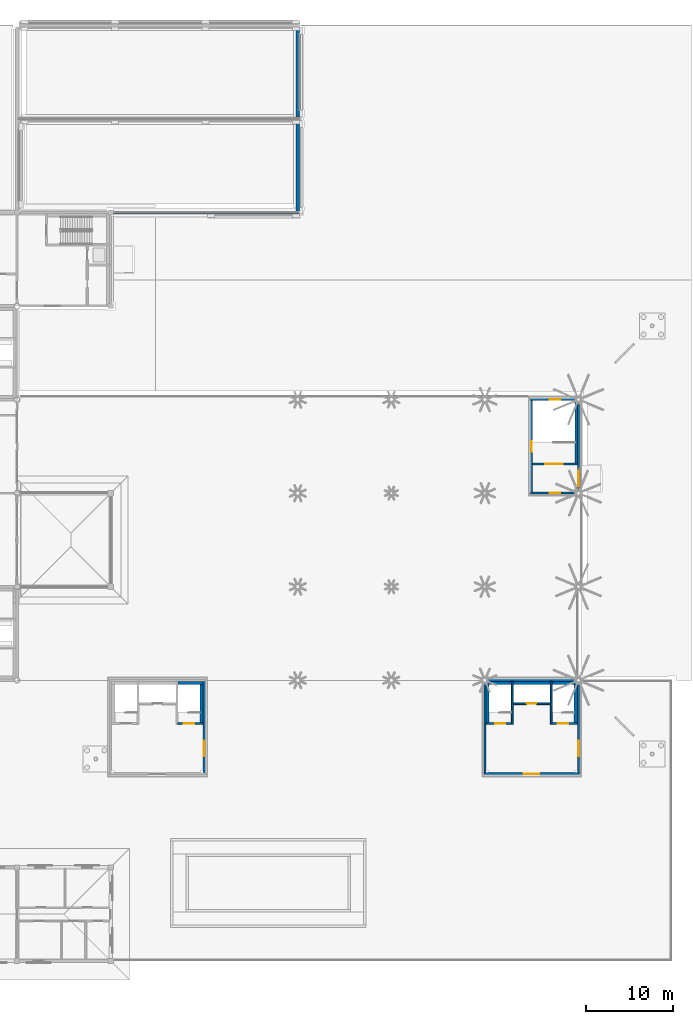
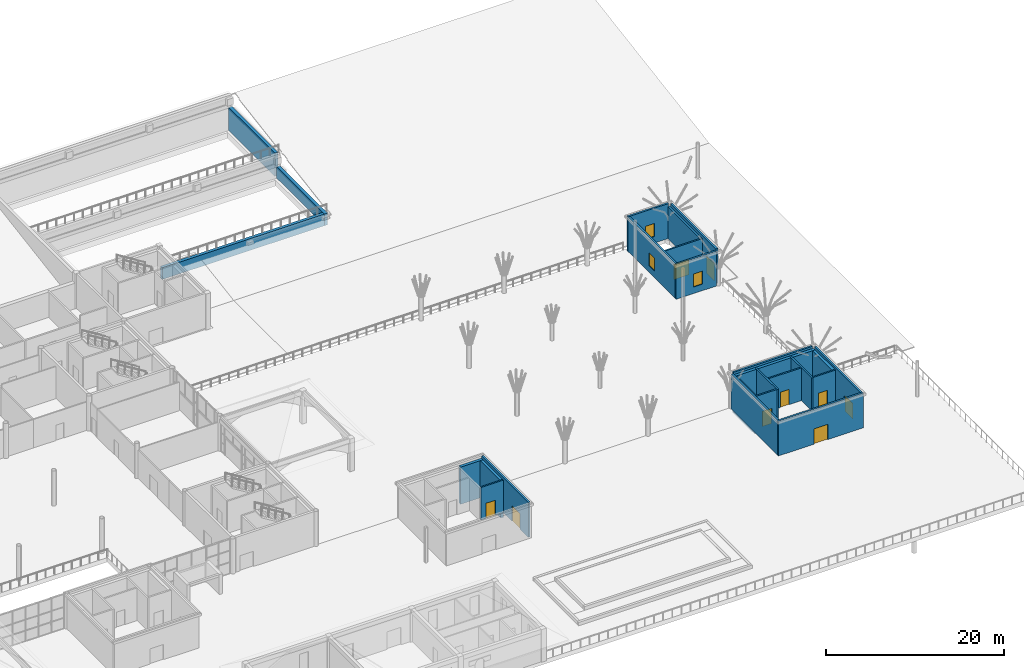
# One storey, part 54 of 91: 27 walls, 9 doors, 3 windows, 12 openings.
"""IFC4 building model written with IfcOpenShell, lengths in metres."""

from ifc_helpers import new_model, si_unit, direction, frame, frame_2d, origin, place, context, subcontext, project, spatial, rectangle, extrude, material, layer, layer_set, type_object, element, fill, save


model = new_model("IFC4")

# Units and contexts
model_context = context("Model", 3, precision=1e-05, world=origin(), true_north=direction((0.0, 1.0)))
body_context = subcontext(model_context, "Body", "Model", "MODEL_VIEW")
ifc_project = project(units=[si_unit("LENGTHUNIT", "METRE"), si_unit("AREAUNIT", "SQUARE_METRE"), si_unit("VOLUMEUNIT", "CUBIC_METRE"), si_unit("PLANEANGLEUNIT", "RADIAN"), si_unit("MASSUNIT", "GRAM", prefix="KILO")], contexts=[model_context])

# Site, building, storey
site_placement = place(None, origin())
site = spatial("IfcSite", under=ifc_project, at=site_placement, CompositionType="ELEMENT")
building_placement = place(site_placement, origin())
building = spatial("IfcBuilding", under=site, at=building_placement, Name="Magnolia Steps Interchange", CompositionType="ELEMENT")
storey_placement = place(building_placement, origin())
storey = spatial("IfcBuildingStorey", under=building, at=storey_placement, Name="L00", CompositionType="ELEMENT", Elevation=0.0)

# Wall, opening, door
ifc_material_1 = material(Name="Concrete C35", Category="concrete")
ifc_layer_1 = layer(ifc_material_1, 0.199951171875)
ifc_layer_set_1 = layer_set([ifc_layer_1], Name="Core enclosure wall 200")
wall_type_1 = type_object("IfcWallType", Name="Core enclosure wall 200", PredefinedType="SOLIDWALL", material=ifc_layer_set_1)
wall_1_placement = place(storey_placement, frame((177.52490234375, 67.375, 0.0), z_axis=(0.0, 0.0, 1.0), x_axis=(1.0, 0.0, 0.0)))
wall_1 = element("IfcWall", 1, at=wall_1_placement, inside=storey, type_object=wall_type_1, Name="L00 BE-E enclosure wall", PredefinedType="SOLIDWALL", context=body_context, shape_type="SweptSolid", body=[
    extrude(rectangle(XDim=5.150146484375, YDim=0.199951171875, at=frame_2d((2.5751953125, 0.0))), origin(), (0.0, 0.0, 1.0), 4.39990234375),
])
opening_1_placement = place(wall_1_placement, frame((1.449951171875, 0.0, 0.0)))
opening_1 = element("IfcOpeningElement", 2, at=opening_1_placement, cuts=wall_1, Name="Opening D-BE-E-L00-1", PredefinedType="OPENING", context=body_context, shape_type="SweptSolid", body=[
    extrude(rectangle(XDim=2.0, YDim=2.10009765625, at=frame_2d((1.0, 1.050048828125))), frame((0.0, 0.10986328125, 0.0), z_axis=(0.0, -1.0, 0.0), x_axis=(1.0, 0.0, 0.0)), (0.0, 0.0, 1.0), 0.219970703125),
])
ifc_material_2 = material(Name="Painted steel", Category="steel")
door_type_1 = type_object("IfcDoorType", Name="Stair fire door pair 2000x2100", OperationType="DOUBLE_DOOR_DOUBLE_SWING", PredefinedType="DOOR", material=ifc_material_2)
door_1_placement = place(opening_1_placement, frame((2.0, 0.0, 0.0), z_axis=(0.0, 0.0, 1.0), x_axis=(-1.0, 0.0, 0.0)))
door_1 = element("IfcDoor", 3, at=door_1_placement, inside=storey, type_object=door_type_1, Name="Stair door ST16 L00", OperationType="DOUBLE_DOOR_DOUBLE_SWING", OverallHeight=2.10009765625, OverallWidth=2.0, PredefinedType="DOOR", context=body_context, shape_type="SweptSolid", body=[
    extrude(rectangle(XDim=2.0, YDim=2.10009765625, at=frame_2d((1.0, 1.050048828125))), frame((0.0, 0.02490234375, 0.0), z_axis=(0.0, -1.0, 0.0), x_axis=(1.0, 0.0, 0.0)), (0.0, 0.0, 1.0), 0.050048828125),
])
fill(opening_1, door_1)

# Wall
wall_2_placement = place(storey_placement, frame((182.550048828125, 67.27490234375, 0.0), z_axis=(0.0, 0.0, 1.0), x_axis=(0.0, 1.0, 0.0)))
element("IfcWall", 4, at=wall_2_placement, inside=storey, type_object=wall_type_1, Name="L00 BE-E enclosure wall", PredefinedType="SOLIDWALL", context=body_context, shape_type="SweptSolid", body=[
    extrude(rectangle(XDim=7.400146484375, YDim=0.25, at=frame_2d((3.7001953125, 0.0))), origin(), (0.0, 0.0, 1.0), 4.39990234375),
])

# Wall, opening, door
wall_3_placement = place(storey_placement, frame((136.550048828125, 37.39990234375, 0.0), z_axis=(0.0, 0.0, 1.0), x_axis=(1.0, 0.0, 0.0)))
wall_3 = element("IfcWall", 5, at=wall_3_placement, inside=storey, type_object=wall_type_1, Name="L00 BC3 enclosure wall", PredefinedType="SOLIDWALL", context=body_context, shape_type="SweptSolid", body=[
    extrude(rectangle(XDim=2.925048828125, YDim=0.199951171875, at=frame_2d((1.46240234375, 0.0))), origin(), (0.0, 0.0, 1.0), 4.5),
])
opening_2_placement = place(wall_3_placement, frame((0.675048828125, 0.0, 0.0)))
opening_2 = element("IfcOpeningElement", 6, at=opening_2_placement, cuts=wall_3, Name="Opening D-BC3-L00-2", PredefinedType="OPENING", context=body_context, shape_type="SweptSolid", body=[
    extrude(rectangle(XDim=1.199951171875, YDim=2.10009765625, at=frame_2d((0.60009765625, 1.050048828125))), frame((0.0, 0.10986328125, 0.0), z_axis=(0.0, -1.0, 0.0), x_axis=(1.0, 0.0, 0.0)), (0.0, 0.0, 1.0), 0.219970703125),
])
ifc_material_3 = material(Name="Painted steel", Category="steel")
door_type_2 = type_object("IfcDoorType", Name="Stair fire door 1200x2100", OperationType="NOTDEFINED", PredefinedType="DOOR", material=ifc_material_3)
door_2_placement = place(opening_2_placement, frame((1.199951171875, 0.0, 0.0), z_axis=(0.0, 0.0, 1.0), x_axis=(-1.0, 0.0, 0.0)))
door_2 = element("IfcDoor", 7, at=door_2_placement, inside=storey, type_object=door_type_2, Name="Stair door ST22 L00", OperationType="SINGLE_SWING_RIGHT", OverallHeight=2.10009765625, OverallWidth=1.199951171875, PredefinedType="DOOR", context=body_context, shape_type="SweptSolid", body=[
    extrude(rectangle(XDim=1.199951171875, YDim=2.10009765625, at=frame_2d((0.60009765625, 1.050048828125))), frame((0.0, 0.02490234375, 0.0), z_axis=(0.0, -1.0, 0.0), x_axis=(1.0, 0.0, 0.0)), (0.0, 0.0, 1.0), 0.050048828125),
])
fill(opening_2, door_2)

wall_4_placement = place(storey_placement, frame((172.125, 37.39990234375, 0.0), z_axis=(0.0, 0.0, 1.0), x_axis=(1.0, 0.0, 0.0)))
wall_4 = element("IfcWall", 8, at=wall_4_placement, inside=storey, type_object=wall_type_1, Name="L00 BC4 enclosure wall", PredefinedType="SOLIDWALL", context=body_context, shape_type="SweptSolid", body=[
    extrude(rectangle(XDim=2.925048828125, YDim=0.199951171875, at=frame_2d((1.46240234375, 0.0))), origin(), (0.0, 0.0, 1.0), 4.5),
])
opening_3_placement = place(wall_4_placement, frame((1.050048828125, 0.0, 0.0)))
opening_3 = element("IfcOpeningElement", 9, at=opening_3_placement, cuts=wall_4, Name="Opening D-BC4-L00-1", PredefinedType="OPENING", context=body_context, shape_type="SweptSolid", body=[
    extrude(rectangle(XDim=1.199951171875, YDim=2.10009765625, at=frame_2d((0.60009765625, 1.050048828125))), frame((0.0, 0.10986328125, 0.0), z_axis=(0.0, -1.0, 0.0), x_axis=(1.0, 0.0, 0.0)), (0.0, 0.0, 1.0), 0.219970703125),
])
door_3_placement = place(opening_3_placement, frame((1.199951171875, 0.0, 0.0), z_axis=(0.0, 0.0, 1.0), x_axis=(-1.0, 0.0, 0.0)))
door_3 = element("IfcDoor", 10, at=door_3_placement, inside=storey, type_object=door_type_2, Name="Stair door ST23 L00", OperationType="SINGLE_SWING_LEFT", OverallHeight=2.10009765625, OverallWidth=1.199951171875, PredefinedType="DOOR", context=body_context, shape_type="SweptSolid", body=[
    extrude(rectangle(XDim=1.199951171875, YDim=2.10009765625, at=frame_2d((0.60009765625, 1.050048828125))), frame((0.0, 0.02490234375, 0.0), z_axis=(0.0, -1.0, 0.0), x_axis=(1.0, 0.0, 0.0)), (0.0, 0.0, 1.0), 0.050048828125),
])
fill(opening_3, door_3)

# Wall
wall_5_placement = place(storey_placement, frame((175.14990234375, 37.300048828125, 0.0), z_axis=(0.0, 0.0, 1.0), x_axis=(0.0, 1.0, 0.0)))
element("IfcWall", 11, at=wall_5_placement, inside=storey, type_object=wall_type_1, Name="L00 BC4 enclosure wall", PredefinedType="SOLIDWALL", context=body_context, shape_type="SweptSolid", body=[
    extrude(rectangle(XDim=4.974853515625, YDim=0.199951171875, at=frame_2d((2.4873046875, 0.0))), origin(), (0.0, 0.0, 1.0), 4.5),
])

# Wall, opening, door
wall_6_placement = place(storey_placement, frame((175.25, 39.699951171875, 0.0), z_axis=(0.0, 0.0, 1.0), x_axis=(1.0, 0.0, 0.0)))
wall_6 = element("IfcWall", 12, at=wall_6_placement, inside=storey, type_object=wall_type_1, Name="L00 BC4 enclosure wall", PredefinedType="SOLIDWALL", context=body_context, shape_type="SweptSolid", body=[
    extrude(rectangle(XDim=4.300048828125, YDim=0.199951171875, at=frame_2d((2.14990234375, 0.0))), origin(), (0.0, 0.0, 1.0), 4.5),
])
opening_4_placement = place(wall_6_placement, frame((1.60009765625, 0.0, 0.0)))
opening_4 = element("IfcOpeningElement", 13, at=opening_4_placement, cuts=wall_6, Name="Opening LD", PredefinedType="OPENING", context=body_context, shape_type="SweptSolid", body=[
    extrude(rectangle(XDim=1.10009765625, YDim=2.10009765625, at=frame_2d((0.550048828125, 1.050048828125))), frame((0.0, 0.10986328125, 0.0), z_axis=(0.0, -1.0, 0.0), x_axis=(1.0, 0.0, 0.0)), (0.0, 0.0, 1.0), 0.219970703125),
])
ifc_material_4 = material(Name="Stainless steel grade 304", Category="steel")
door_type_3 = type_object("IfcDoorType", Name="Lift landing door 1100x2100", OperationType="DOUBLE_DOOR_SLIDING", PredefinedType="DOOR", material=ifc_material_4)
door_4_placement = place(opening_4_placement, frame((1.10009765625, 0.0, 0.0), z_axis=(0.0, 0.0, 1.0), x_axis=(-1.0, 0.0, 0.0)))
door_4 = element("IfcDoor", 14, at=door_4_placement, inside=storey, type_object=door_type_3, Name="Lift landing door LF11 L00", OperationType="DOUBLE_DOOR_SLIDING", OverallHeight=2.10009765625, OverallWidth=1.10009765625, PredefinedType="DOOR", context=body_context, shape_type="SweptSolid", body=[
    extrude(rectangle(XDim=1.10009765625, YDim=2.10009765625, at=frame_2d((0.550048828125, 1.050048828125))), frame((0.0, 0.02490234375, 0.0), z_axis=(0.0, -1.0, 0.0), x_axis=(1.0, 0.0, 0.0)), (0.0, 0.0, 1.0), 0.050048828125),
])
fill(opening_4, door_4)

# Wall
wall_7_placement = place(storey_placement, frame((179.64990234375, 37.300048828125, 0.0), z_axis=(0.0, 0.0, 1.0), x_axis=(0.0, 1.0, 0.0)))
element("IfcWall", 15, at=wall_7_placement, inside=storey, type_object=wall_type_1, Name="L00 BC4 enclosure wall", PredefinedType="SOLIDWALL", context=body_context, shape_type="SweptSolid", body=[
    extrude(rectangle(XDim=4.974853515625, YDim=0.199951171875, at=frame_2d((2.4873046875, 0.0))), origin(), (0.0, 0.0, 1.0), 4.5),
])

# Wall, opening, door
wall_8_placement = place(storey_placement, frame((179.75, 37.39990234375, 0.0), z_axis=(0.0, 0.0, 1.0), x_axis=(1.0, 0.0, 0.0)))
wall_8 = element("IfcWall", 16, at=wall_8_placement, inside=storey, type_object=wall_type_1, Name="L00 BC4 enclosure wall", PredefinedType="SOLIDWALL", context=body_context, shape_type="SweptSolid", body=[
    extrude(rectangle(XDim=2.925048828125, YDim=0.199951171875, at=frame_2d((1.46240234375, 0.0))), origin(), (0.0, 0.0, 1.0), 4.5),
])
opening_5_placement = place(wall_8_placement, frame((0.675048828125, 0.0, 0.0)))
opening_5 = element("IfcOpeningElement", 17, at=opening_5_placement, cuts=wall_8, Name="Opening D-BC4-L00-2", PredefinedType="OPENING", context=body_context, shape_type="SweptSolid", body=[
    extrude(rectangle(XDim=1.199951171875, YDim=2.10009765625, at=frame_2d((0.60009765625, 1.050048828125))), frame((0.0, 0.10986328125, 0.0), z_axis=(0.0, -1.0, 0.0), x_axis=(1.0, 0.0, 0.0)), (0.0, 0.0, 1.0), 0.219970703125),
])
door_5_placement = place(opening_5_placement, frame((1.199951171875, 0.0, 0.0), z_axis=(0.0, 0.0, 1.0), x_axis=(-1.0, 0.0, 0.0)))
door_5 = element("IfcDoor", 18, at=door_5_placement, inside=storey, type_object=door_type_2, Name="Stair door ST24 L00", OperationType="SINGLE_SWING_RIGHT", OverallHeight=2.10009765625, OverallWidth=1.199951171875, PredefinedType="DOOR", context=body_context, shape_type="SweptSolid", body=[
    extrude(rectangle(XDim=1.199951171875, YDim=2.10009765625, at=frame_2d((0.60009765625, 1.050048828125))), frame((0.0, 0.02490234375, 0.0), z_axis=(0.0, -1.0, 0.0), x_axis=(1.0, 0.0, 0.0)), (0.0, 0.0, 1.0), 0.050048828125),
])
fill(opening_5, door_5)

# Walls
ifc_material_5 = material(Name="Concrete C35", Category="concrete")
ifc_layer_2 = layer(ifc_material_5, 0.375)
ifc_layer_set_2 = layer_set([ifc_layer_2], Name="Core lining wall 375")
wall_type_2 = type_object("IfcWallType", Name="Core lining wall 375", PredefinedType="SOLIDWALL", material=ifc_layer_set_2)
wall_9_placement = place(storey_placement, frame((139.28759765625, 37.300048828125, -0.60009765625), z_axis=(0.0, 0.0, 1.0), x_axis=(0.0, 1.0, 0.0)))
element("IfcWall", 19, at=wall_9_placement, inside=storey, type_object=wall_type_2, Name="L00 BC3 stair lining wall", PredefinedType="SOLIDWALL", context=body_context, shape_type="SweptSolid", body=[
    extrude(rectangle(XDim=4.974853515625, YDim=0.375, at=frame_2d((2.4873046875, 0.0))), origin(), (0.0, 0.0, 1.0), 5.10009765625),
])
wall_10_placement = place(storey_placement, frame((136.550048828125, 42.08740234375, -0.60009765625), z_axis=(0.0, 0.0, 1.0), x_axis=(1.0, 0.0, 0.0)))
element("IfcWall", 20, at=wall_10_placement, inside=storey, type_object=wall_type_2, Name="L00 BC3 stair lining wall", PredefinedType="SOLIDWALL", context=body_context, shape_type="SweptSolid", body=[
    extrude(rectangle(XDim=2.925048828125, YDim=0.375, at=frame_2d((1.46240234375, 0.0))), origin(), (0.0, 0.0, 1.0), 5.10009765625),
])
wall_11_placement = place(storey_placement, frame((172.3125, 37.300048828125, -0.60009765625), z_axis=(0.0, 0.0, 1.0), x_axis=(0.0, 1.0, 0.0)))
element("IfcWall", 21, at=wall_11_placement, inside=storey, type_object=wall_type_2, Name="L00 BC4 stair lining wall", PredefinedType="SOLIDWALL", context=body_context, shape_type="SweptSolid", body=[
    extrude(rectangle(XDim=4.974853515625, YDim=0.375, at=frame_2d((2.4873046875, 0.0))), origin(), (0.0, 0.0, 1.0), 5.10009765625),
])
wall_12_placement = place(storey_placement, frame((172.125, 42.08740234375, -0.60009765625), z_axis=(0.0, 0.0, 1.0), x_axis=(1.0, 0.0, 0.0)))
element("IfcWall", 22, at=wall_12_placement, inside=storey, type_object=wall_type_2, Name="L00 BC4 stair lining wall", PredefinedType="SOLIDWALL", context=body_context, shape_type="SweptSolid", body=[
    extrude(rectangle(XDim=2.925048828125, YDim=0.375, at=frame_2d((1.46240234375, 0.0))), origin(), (0.0, 0.0, 1.0), 5.10009765625),
])
wall_13_placement = place(storey_placement, frame((182.487548828125, 37.300048828125, -0.60009765625), z_axis=(0.0, 0.0, 1.0), x_axis=(0.0, 1.0, 0.0)))
element("IfcWall", 23, at=wall_13_placement, inside=storey, type_object=wall_type_2, Name="L00 BC4 stair lining wall", PredefinedType="SOLIDWALL", context=body_context, shape_type="SweptSolid", body=[
    extrude(rectangle(XDim=4.974853515625, YDim=0.375, at=frame_2d((2.4873046875, 0.0))), origin(), (0.0, 0.0, 1.0), 5.10009765625),
])
wall_14_placement = place(storey_placement, frame((179.75, 42.08740234375, -0.60009765625), z_axis=(0.0, 0.0, 1.0), x_axis=(1.0, 0.0, 0.0)))
element("IfcWall", 24, at=wall_14_placement, inside=storey, type_object=wall_type_2, Name="L00 BC4 stair lining wall", PredefinedType="SOLIDWALL", context=body_context, shape_type="SweptSolid", body=[
    extrude(rectangle(XDim=2.925048828125, YDim=0.375, at=frame_2d((1.46240234375, 0.0))), origin(), (0.0, 0.0, 1.0), 5.10009765625),
])
wall_15_placement = place(storey_placement, frame((175.25, 42.08740234375, -0.60009765625), z_axis=(0.0, 0.0, 1.0), x_axis=(1.0, 0.0, 0.0)))
element("IfcWall", 25, at=wall_15_placement, inside=storey, type_object=wall_type_2, Name="L00 BC4 stair lining wall", PredefinedType="SOLIDWALL", context=body_context, shape_type="SweptSolid", body=[
    extrude(rectangle(XDim=4.300048828125, YDim=0.375, at=frame_2d((2.14990234375, 0.0))), origin(), (0.0, 0.0, 1.0), 5.10009765625),
])

# Wall, opening, window
ifc_material_6 = material(Name="Concrete C40", Category="concrete")
ifc_layer_3 = layer(ifc_material_6, 0.25)
ifc_layer_set_3 = layer_set([ifc_layer_3], Name="Core wall 250")
wall_type_3 = type_object("IfcWallType", Name="Core wall 250", PredefinedType="SOLIDWALL", material=ifc_layer_set_3)
wall_16_placement = place(storey_placement, frame((177.27490234375, 64.0, 0.0), z_axis=(0.0, 0.0, 1.0), x_axis=(1.0, 0.0, 0.0)))
wall_16 = element("IfcWall", 26, at=wall_16_placement, inside=storey, type_object=wall_type_3, Name="Core wall BE-E", PredefinedType="SOLIDWALL", context=body_context, shape_type="SweptSolid", body=[
    extrude(rectangle(XDim=5.24560546875, YDim=0.25, at=frame_2d((2.622802734375, 0.0))), origin(), (0.0, 0.0, 1.0), 4.800048828125),
])
opening_6_placement = place(wall_16_placement, frame((2.22509765625, 0.0, 0.89990234375)))
opening_6 = element("IfcOpeningElement", 27, at=opening_6_placement, cuts=wall_16, Name="Opening WN9", PredefinedType="OPENING", context=body_context, shape_type="SweptSolid", body=[
    extrude(rectangle(XDim=1.199951171875, YDim=1.800048828125, at=frame_2d((0.60009765625, 0.89990234375))), frame((0.0, 0.135009765625, 0.0), z_axis=(0.0, -1.0, 0.0), x_axis=(1.0, 0.0, 0.0)), (0.0, 0.0, 1.0), 0.27001953125),
])
ifc_material_7 = material(Name="Timber frame with double glazing", Category="wood")
window_type = type_object("IfcWindowType", Name="Casement window 1200 x 1800", PartitioningType="DOUBLE_PANEL_VERTICAL", PredefinedType="WINDOW", material=ifc_material_7)
window_1_placement = place(opening_6_placement, origin())
window_1 = element("IfcWindow", 28, at=window_1_placement, inside=storey, type_object=window_type, Name="Pavilion window BE-E S", OverallHeight=1.800048828125, OverallWidth=1.199951171875, PartitioningType="SINGLE_PANEL", PredefinedType="WINDOW", context=body_context, shape_type="SweptSolid", body=[
    extrude(rectangle(XDim=1.199951171875, YDim=1.800048828125, at=frame_2d((0.60009765625, 0.89990234375))), frame((0.0, 0.030029296875, 0.0), z_axis=(0.0, -1.0, 0.0), x_axis=(1.0, 0.0, 0.0)), (0.0, 0.0, 1.0), 0.06005859375),
])
fill(opening_6, window_1)

# Wall, opening, door
wall_17_placement = place(storey_placement, frame((182.800048828125, 64.279541015625, 0.0), z_axis=(0.0, 0.0, 1.0), x_axis=(0.0, 1.0, 0.0)))
wall_17 = element("IfcWall", 29, at=wall_17_placement, inside=storey, type_object=wall_type_3, Name="Core wall BE-E", PredefinedType="SOLIDWALL", context=body_context, shape_type="SweptSolid", body=[
    extrude(rectangle(XDim=10.240966796875, YDim=0.25, at=frame_2d((5.12060546875, 0.0))), origin(), (0.0, 0.0, 1.0), 4.800048828125),
])
opening_7_placement = place(wall_17_placement, frame((0.5205078125, 0.0, 0.0)))
opening_7 = element("IfcOpeningElement", 30, at=opening_7_placement, cuts=wall_17, Name="Opening E30", PredefinedType="OPENING", context=body_context, shape_type="SweptSolid", body=[
    extrude(rectangle(XDim=1.800048828125, YDim=2.39990234375, at=frame_2d((0.89990234375, 1.199951171875))), frame((0.0, 0.135009765625, 0.0), z_axis=(0.0, -1.0, 0.0), x_axis=(1.0, 0.0, 0.0)), (0.0, 0.0, 1.0), 0.27001953125),
])
ifc_material_8 = material(Name="Timber", Category="wood")
door_type_4 = type_object("IfcDoorType", Name="Pavilion entrance door 1800 x 2400", OperationType="DOUBLE_DOOR_DOUBLE_SWING", PredefinedType="DOOR", material=ifc_material_8)
door_6_placement = place(opening_7_placement, frame((1.800048828125, 0.0, 0.0), z_axis=(0.0, 0.0, 1.0), x_axis=(-1.0, 0.0, 0.0)))
door_6 = element("IfcDoor", 31, at=door_6_placement, inside=storey, type_object=door_type_4, Name="Metro entrance doors BE-E", OperationType="DOUBLE_DOOR_DOUBLE_SWING", OverallHeight=2.39990234375, OverallWidth=1.800048828125, PredefinedType="DOOR", context=body_context, shape_type="SweptSolid", body=[
    extrude(rectangle(XDim=1.800048828125, YDim=2.39990234375, at=frame_2d((0.89990234375, 1.199951171875))), frame((0.0, 0.02490234375, 0.0), z_axis=(0.0, -1.0, 0.0), x_axis=(1.0, 0.0, 0.0)), (0.0, 0.0, 1.0), 0.050048828125),
])
fill(opening_7, door_6)

# Wall, opening, window
wall_18_placement = place(storey_placement, frame((182.5205078125, 74.800048828125, 0.0), z_axis=(0.0, 0.0, 1.0), x_axis=(-1.0, 0.0, 0.0)))
wall_18 = element("IfcWall", 32, at=wall_18_placement, inside=storey, type_object=wall_type_3, Name="Core wall BE-E", PredefinedType="SOLIDWALL", context=body_context, shape_type="SweptSolid", body=[
    extrude(rectangle(XDim=5.24560546875, YDim=0.25, at=frame_2d((2.622802734375, 0.0))), origin(), (0.0, 0.0, 1.0), 4.800048828125),
])
opening_8_placement = place(wall_18_placement, frame((1.820556640625, 0.0, 0.89990234375)))
opening_8 = element("IfcOpeningElement", 33, at=opening_8_placement, cuts=wall_18, Name="Opening WN9", PredefinedType="OPENING", context=body_context, shape_type="SweptSolid", body=[
    extrude(rectangle(XDim=1.199951171875, YDim=1.800048828125, at=frame_2d((0.60009765625, 0.89990234375))), frame((0.0, 0.135009765625, 0.0), z_axis=(0.0, -1.0, 0.0), x_axis=(1.0, 0.0, 0.0)), (0.0, 0.0, 1.0), 0.27001953125),
])
window_2_placement = place(opening_8_placement, origin())
window_2 = element("IfcWindow", 34, at=window_2_placement, inside=storey, type_object=window_type, Name="Pavilion window BE-E N", OverallHeight=1.800048828125, OverallWidth=1.199951171875, PartitioningType="SINGLE_PANEL", PredefinedType="WINDOW", context=body_context, shape_type="SweptSolid", body=[
    extrude(rectangle(XDim=1.199951171875, YDim=1.800048828125, at=frame_2d((0.60009765625, 0.89990234375))), frame((0.0, 0.030029296875, 0.0), z_axis=(0.0, -1.0, 0.0), x_axis=(1.0, 0.0, 0.0)), (0.0, 0.0, 1.0), 0.06005859375),
])
fill(opening_8, window_2)

wall_19_placement = place(storey_placement, frame((177.39990234375, 74.675048828125, 0.0), z_axis=(0.0, 0.0, 1.0), x_axis=(0.0, -1.0, 0.0)))
wall_19 = element("IfcWall", 35, at=wall_19_placement, inside=storey, type_object=wall_type_3, Name="Core wall BE-E", PredefinedType="SOLIDWALL", context=body_context, shape_type="SweptSolid", body=[
    extrude(rectangle(XDim=10.550048828125, YDim=0.25, at=frame_2d((5.27490234375, 0.0))), origin(), (0.0, 0.0, 1.0), 4.800048828125),
])
opening_9_placement = place(wall_19_placement, frame((4.675048828125, 0.0, 0.89990234375)))
opening_9 = element("IfcOpeningElement", 36, at=opening_9_placement, cuts=wall_19, Name="Opening WN9", PredefinedType="OPENING", context=body_context, shape_type="SweptSolid", body=[
    extrude(rectangle(XDim=1.199951171875, YDim=1.800048828125, at=frame_2d((0.60009765625, 0.89990234375))), frame((0.0, 0.135009765625, 0.0), z_axis=(0.0, -1.0, 0.0), x_axis=(1.0, 0.0, 0.0)), (0.0, 0.0, 1.0), 0.27001953125),
])
window_3_placement = place(opening_9_placement, origin())
window_3 = element("IfcWindow", 37, at=window_3_placement, inside=storey, type_object=window_type, Name="Pavilion window BE-E W", OverallHeight=1.800048828125, OverallWidth=1.199951171875, PartitioningType="SINGLE_PANEL", PredefinedType="WINDOW", context=body_context, shape_type="SweptSolid", body=[
    extrude(rectangle(XDim=1.199951171875, YDim=1.800048828125, at=frame_2d((0.60009765625, 0.89990234375))), frame((0.0, 0.030029296875, 0.0), z_axis=(0.0, -1.0, 0.0), x_axis=(1.0, 0.0, 0.0)), (0.0, 0.0, 1.0), 0.06005859375),
])
fill(opening_9, window_3)

# Wall, opening, door
wall_20_placement = place(storey_placement, frame((139.60009765625, 31.72509765625, 0.0), z_axis=(0.0, 0.0, 1.0), x_axis=(0.0, 1.0, 0.0)))
wall_20 = element("IfcWall", 38, at=wall_20_placement, inside=storey, type_object=wall_type_3, Name="Core wall BC3", PredefinedType="SOLIDWALL", context=body_context, shape_type="SweptSolid", body=[
    extrude(rectangle(XDim=10.5498046875, YDim=0.25, at=frame_2d((5.27490234375, 0.0))), origin(), (0.0, 0.0, 1.0), 4.800048828125),
])
opening_10_placement = place(wall_20_placement, frame((1.887939453125, 0.0, 0.0)))
opening_10 = element("IfcOpeningElement", 39, at=opening_10_placement, cuts=wall_20, Name="Opening D-BC3-L00-4", PredefinedType="OPENING", context=body_context, shape_type="SweptSolid", body=[
    extrude(rectangle(XDim=1.800048828125, YDim=2.10009765625, at=frame_2d((0.89990234375, 1.050048828125))), frame((0.0, 0.135009765625, 0.0), z_axis=(0.0, -1.0, 0.0), x_axis=(1.0, 0.0, 0.0)), (0.0, 0.0, 1.0), 0.27001953125),
])
ifc_material_9 = material(Name="Timber and glass", Category="wood")
door_type_5 = type_object("IfcDoorType", Name="Core entrance door pair 1800x2100", OperationType="DOUBLE_DOOR_DOUBLE_SWING", PredefinedType="DOOR", material=ifc_material_9)
door_7_placement = place(opening_10_placement, frame((1.800048828125, 0.0, 0.0), z_axis=(0.0, 0.0, 1.0), x_axis=(-1.0, 0.0, 0.0)))
door_7 = element("IfcDoor", 40, at=door_7_placement, inside=storey, type_object=door_type_5, Name="Core entrance door BC3 L00", OperationType="DOUBLE_DOOR_DOUBLE_SWING", OverallHeight=2.10009765625, OverallWidth=1.800048828125, PredefinedType="DOOR", context=body_context, shape_type="SweptSolid", body=[
    extrude(rectangle(XDim=1.800048828125, YDim=2.10009765625, at=frame_2d((0.89990234375, 1.050048828125))), frame((0.0, 0.02490234375, 0.0), z_axis=(0.0, -1.0, 0.0), x_axis=(1.0, 0.0, 0.0)), (0.0, 0.0, 1.0), 0.050048828125),
])
fill(opening_10, door_7)

wall_21_placement = place(storey_placement, frame((171.875, 31.60009765625, 0.0), z_axis=(0.0, 0.0, 1.0), x_axis=(1.0, 0.0, 0.0)))
wall_21 = element("IfcWall", 41, at=wall_21_placement, inside=storey, type_object=wall_type_3, Name="Core wall BC4", PredefinedType="SOLIDWALL", context=body_context, shape_type="SweptSolid", body=[
    extrude(rectangle(XDim=11.050048828125, YDim=0.25, at=frame_2d((5.52490234375, 0.0))), origin(), (0.0, 0.0, 1.0), 4.800048828125),
])
opening_11_placement = place(wall_21_placement, frame((4.625, 0.0, 0.0)))
opening_11 = element("IfcOpeningElement", 42, at=opening_11_placement, cuts=wall_21, Name="Opening D-BC4-L00-3", PredefinedType="OPENING", context=body_context, shape_type="SweptSolid", body=[
    extrude(rectangle(XDim=1.800048828125, YDim=2.10009765625, at=frame_2d((0.89990234375, 1.050048828125))), frame((0.0, 0.135009765625, 0.0), z_axis=(0.0, -1.0, 0.0), x_axis=(1.0, 0.0, 0.0)), (0.0, 0.0, 1.0), 0.27001953125),
])
door_8_placement = place(opening_11_placement, frame((1.800048828125, 0.0, 0.0), z_axis=(0.0, 0.0, 1.0), x_axis=(-1.0, 0.0, 0.0)))
door_8 = element("IfcDoor", 43, at=door_8_placement, inside=storey, type_object=door_type_5, Name="Core entrance door BC4 L00", OperationType="DOUBLE_DOOR_DOUBLE_SWING", OverallHeight=2.10009765625, OverallWidth=1.800048828125, PredefinedType="DOOR", context=body_context, shape_type="SweptSolid", body=[
    extrude(rectangle(XDim=1.800048828125, YDim=2.10009765625, at=frame_2d((0.89990234375, 1.050048828125))), frame((0.0, 0.02490234375, 0.0), z_axis=(0.0, -1.0, 0.0), x_axis=(1.0, 0.0, 0.0)), (0.0, 0.0, 1.0), 0.050048828125),
])
fill(opening_11, door_8)

wall_22_placement = place(storey_placement, frame((182.800048828125, 31.72509765625, 0.0), z_axis=(0.0, 0.0, 1.0), x_axis=(0.0, 1.0, 0.0)))
wall_22 = element("IfcWall", 44, at=wall_22_placement, inside=storey, type_object=wall_type_3, Name="Core wall BC4", PredefinedType="SOLIDWALL", context=body_context, shape_type="SweptSolid", body=[
    extrude(rectangle(XDim=10.3955078125, YDim=0.25, at=frame_2d((5.19775390625, 0.0))), origin(), (0.0, 0.0, 1.0), 4.800048828125),
])
opening_12_placement = place(wall_22_placement, frame((1.887939453125, 0.0, 0.0)))
opening_12 = element("IfcOpeningElement", 45, at=opening_12_placement, cuts=wall_22, Name="Opening D-BC4-L00-4", PredefinedType="OPENING", context=body_context, shape_type="SweptSolid", body=[
    extrude(rectangle(XDim=1.800048828125, YDim=2.10009765625, at=frame_2d((0.89990234375, 1.050048828125))), frame((0.0, 0.135009765625, 0.0), z_axis=(0.0, -1.0, 0.0), x_axis=(1.0, 0.0, 0.0)), (0.0, 0.0, 1.0), 0.27001953125),
])
door_9_placement = place(opening_12_placement, frame((1.800048828125, 0.0, 0.0), z_axis=(0.0, 0.0, 1.0), x_axis=(-1.0, 0.0, 0.0)))
door_9 = element("IfcDoor", 46, at=door_9_placement, inside=storey, type_object=door_type_5, Name="Core entrance door BC4 L00", OperationType="DOUBLE_DOOR_DOUBLE_SWING", OverallHeight=2.10009765625, OverallWidth=1.800048828125, PredefinedType="DOOR", context=body_context, shape_type="SweptSolid", body=[
    extrude(rectangle(XDim=1.800048828125, YDim=2.10009765625, at=frame_2d((0.89990234375, 1.050048828125))), frame((0.0, 0.02490234375, 0.0), z_axis=(0.0, -1.0, 0.0), x_axis=(1.0, 0.0, 0.0)), (0.0, 0.0, 1.0), 0.050048828125),
])
fill(opening_12, door_9)

# Walls
wall_23_placement = place(storey_placement, frame((182.5205078125, 42.39990234375, 0.0), z_axis=(0.0, 0.0, 1.0), x_axis=(-1.0, 0.0, 0.0)))
element("IfcWall", 47, at=wall_23_placement, inside=storey, type_object=wall_type_3, Name="Core wall BC4", PredefinedType="SOLIDWALL", context=body_context, shape_type="SweptSolid", body=[
    extrude(rectangle(XDim=10.240966796875, YDim=0.25, at=frame_2d((5.12060546875, 0.0))), origin(), (0.0, 0.0, 1.0), 4.800048828125),
])
wall_24_placement = place(storey_placement, frame((172.0, 42.12060546875, 0.0), z_axis=(0.0, 0.0, 1.0), x_axis=(0.0, -1.0, 0.0)))
element("IfcWall", 48, at=wall_24_placement, inside=storey, type_object=wall_type_3, Name="Core wall BC4", PredefinedType="SOLIDWALL", context=body_context, shape_type="SweptSolid", body=[
    extrude(rectangle(XDim=10.3955078125, YDim=0.25, at=frame_2d((5.19775390625, 0.0))), origin(), (0.0, 0.0, 1.0), 4.800048828125),
])
ifc_material_10 = material(Name="Concrete C40", Category="concrete")
ifc_layer_4 = layer(ifc_material_10, 0.39990234375)
ifc_layer_set_4 = layer_set([ifc_layer_4], Name="Terrace retaining wall 400")
wall_type_4 = type_object("IfcWallType", Name="Terrace retaining wall 400", PredefinedType="SOLIDWALL", material=ifc_layer_set_4)
wall_25_placement = place(storey_placement, frame((150.60009765625, 96.39990234375, 0.0), z_axis=(0.0, 0.0, 1.0), x_axis=(-1.0, 0.0, 0.0)))
element("IfcWall", 49, at=wall_25_placement, inside=storey, type_object=wall_type_4, Name="Terrace wall E 1", PredefinedType="SOLIDWALL", context=body_context, shape_type="SweptSolid", body=[
    extrude(rectangle(XDim=21.5, YDim=0.39990234375, at=frame_2d((10.75, 0.0))), origin(), (0.0, 0.0, 1.0), 1.60009765625),
])
wall_26_placement = place(storey_placement, frame((150.39990234375, 96.199951171875, 0.0), z_axis=(0.0, 0.0, 1.0), x_axis=(0.0, 1.0, 0.0)))
element("IfcWall", 50, at=wall_26_placement, inside=storey, type_object=wall_type_4, Name="Terrace end wall E 1", PredefinedType="SOLIDWALL", context=body_context, shape_type="SweptSolid", body=[
    extrude(rectangle(XDim=10.800048828125, YDim=0.39990234375, at=frame_2d((5.39990234375, 0.0))), origin(), (0.0, 0.0, 1.0), 1.60009765625),
])
wall_27_placement = place(storey_placement, frame((150.39990234375, 107.39990234375, 0.0), z_axis=(0.0, 0.0, 1.0), x_axis=(0.0, 1.0, 0.0)))
element("IfcWall", 51, at=wall_27_placement, inside=storey, type_object=wall_type_4, Name="Terrace end wall E 2", PredefinedType="SOLIDWALL", context=body_context, shape_type="SweptSolid", body=[
    extrude(rectangle(XDim=10.400146484375, YDim=0.39990234375, at=frame_2d((5.2001953125, 0.0))), origin(), (0.0, 0.0, 1.0), 3.199951171875),
])

save(model, "model.ifc")
